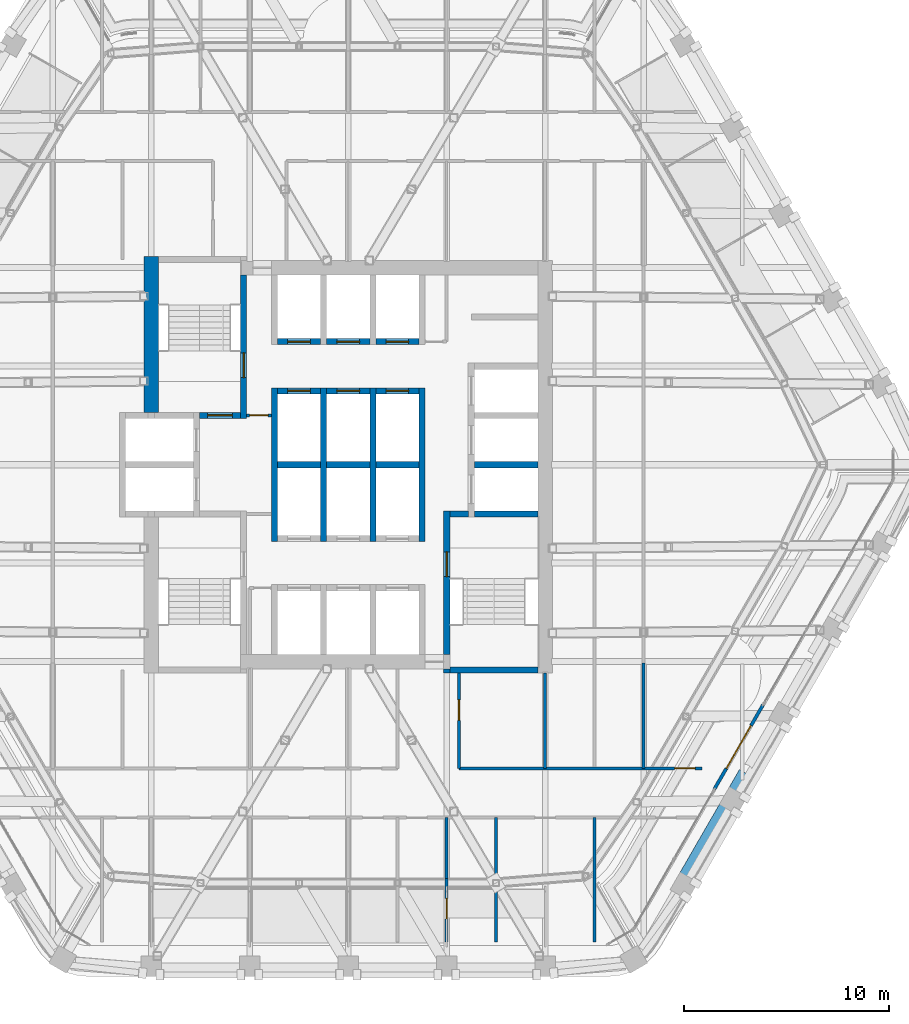
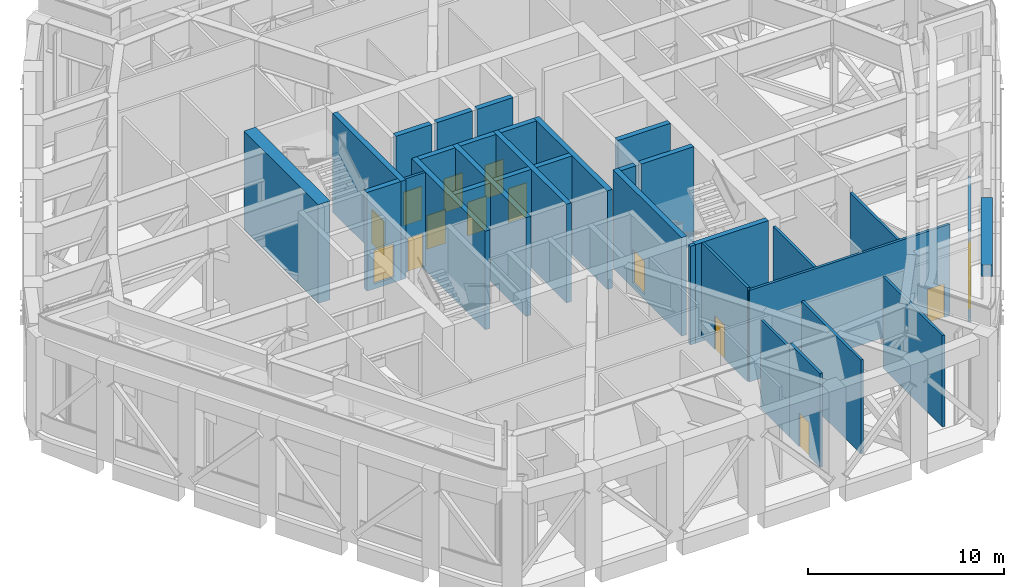
# One storey, part 15 of 24: 33 walls, 14 doors, 14 openings.
"""IFC4 building model written with IfcOpenShell, lengths in metres."""

from ifc_helpers import new_model, si_unit, direction, frame, frame_2d, origin, place, context, subcontext, project, spatial, rectangle, extrude, material, layer, layer_set, type_object, element, fill, save


model = new_model("IFC4")

# Units and contexts
model_context = context("Model", 3, precision=1e-05, world=origin(), true_north=direction((0.0, 1.0)))
body_context = subcontext(model_context, "Body", "Model", "MODEL_VIEW")
ifc_project = project(units=[si_unit("LENGTHUNIT", "METRE"), si_unit("AREAUNIT", "SQUARE_METRE"), si_unit("VOLUMEUNIT", "CUBIC_METRE"), si_unit("PLANEANGLEUNIT", "RADIAN"), si_unit("MASSUNIT", "GRAM", prefix="KILO")], contexts=[model_context])

# Site, building, storey
site_placement = place(None, origin())
site = spatial("IfcSite", under=ifc_project, at=site_placement, CompositionType="ELEMENT")
building_placement = place(site_placement, origin())
building = spatial("IfcBuilding", under=site, at=building_placement, Name="Kolab Exchange Tower", CompositionType="ELEMENT")
storey_placement = place(building_placement, frame((0.0, 0.0, 216.800048828125)))
storey = spatial("IfcBuildingStorey", under=building, at=storey_placement, Name="L47", CompositionType="ELEMENT", Elevation=216.800048828125)

# Wall
ifc_material_1 = material(Name="Concrete C60/75", Category="concrete")
ifc_layer_1 = layer(ifc_material_1, 0.699951171875)
ifc_layer_set_1 = layer_set([ifc_layer_1], Name="Concrete C60/75")
wall_type_1 = type_object("IfcWallType", Name="CORE WALL 700 C60/75", PredefinedType="SHEAR", material=ifc_layer_set_1)
wall_1_placement = place(storey_placement, frame((-9.60009765625, 2.550048828125, -0.300048828125), z_axis=(0.0, 0.0, 1.0), x_axis=(0.0, 1.0, 0.0)))
element("IfcWall", 1, at=wall_1_placement, inside=storey, type_object=wall_type_1, Name="wall/L47/core/037", PredefinedType="SHEAR", context=body_context, shape_type="SweptSolid", body=[
    extrude(rectangle(XDim=7.599853515625, YDim=0.699951171875, at=frame_2d((3.7998046875, 0.0))), origin(), (0.0, 0.0, 1.0), 6.14990234375),
])

# Wall, opening, door
ifc_material_2 = material(Name="Aluminium EN AW-6063 T6", Category="aluminium")
ifc_layer_2 = layer(ifc_material_2, 0.159912109375)
ifc_layer_set_2 = layer_set([ifc_layer_2], Name="Aluminium EN AW-6063 T6")
wall_type_2 = type_object("IfcWallType", Name="DOOR SURROUND WALL 160 ALUMINIUM FRAMED", PredefinedType="PARTITIONING", material=ifc_layer_set_2)
wall_2_placement = place(storey_placement, frame((20.216796875, -11.706787109375, 0.0), z_axis=(0.0, 0.0, 1.0), x_axis=(-0.5000167099, -0.866015756104, 0.0)))
wall_2 = element("IfcWall", 2, at=wall_2_placement, inside=storey, type_object=wall_type_2, Name="Door surround wall", PredefinedType="PARTITIONING", context=body_context, shape_type="SweptSolid", body=[
    extrude(rectangle(XDim=4.739990234375, YDim=0.159912109375, at=frame_2d((2.3701171875, 0.0))), origin(), (0.0, 0.0, 1.0), 5.699951171875),
])
opening_1_placement = place(wall_2_placement, frame((1.169921875, 0.0, 0.0)))
opening_1 = element("IfcOpeningElement", 3, at=opening_1_placement, cuts=wall_2, Name="Opening GD1-087", PredefinedType="OPENING", context=body_context, shape_type="SweptSolid", body=[
    extrude(rectangle(XDim=2.39990234375, YDim=2.39990234375, at=frame_2d((1.199951171875, 1.199951171875))), frame((0.0, 0.08984375, 0.0), z_axis=(0.0, -1.0, 0.0), x_axis=(1.0, 0.0, 0.0)), (0.0, 0.0, 1.0), 0.179931640625),
])
door_type_1 = type_object("IfcDoorType", Name="LOGGIA SLIDING GLASS DOOR 2400 X 2400", OperationType="DOUBLE_DOOR_SINGLE_SWING", PredefinedType="DOOR", material=ifc_material_2)
door_1_placement = place(opening_1_placement, origin())
door_1 = element("IfcDoor", 4, at=door_1_placement, inside=storey, type_object=door_type_1, Name="Loggia door", OperationType="DOUBLE_DOOR_SLIDING", OverallHeight=2.39990234375, OverallWidth=2.39990234375, PredefinedType="DOOR", context=body_context, shape_type="SweptSolid", body=[
    extrude(rectangle(XDim=2.39990234375, YDim=2.39990234375, at=frame_2d((1.199951171875, 1.199951171875))), frame((0.0, 0.02490234375, 0.0), z_axis=(0.0, -1.0, 0.0), x_axis=(1.0, 0.0, 0.0)), (0.0, 0.0, 1.0), 0.050048828125),
])
fill(opening_1, door_1)

# Walls
ifc_material_3 = material(Name="Concrete C50/60", Category="concrete")
ifc_layer_3 = layer(ifc_material_3, 0.300048828125)
ifc_layer_set_3 = layer_set([ifc_layer_3], Name="Concrete C50/60")
wall_type_3 = type_object("IfcWallType", Name="LIFT SHAFT WALL 300 C50/60", PredefinedType="STANDARD", material=ifc_layer_set_3)
wall_3_placement = place(storey_placement, frame((-3.449951171875, 0.0, -0.300048828125), z_axis=(0.0, 0.0, 1.0), x_axis=(1.0, 0.0, 0.0)))
element("IfcWall", 5, at=wall_3_placement, inside=storey, type_object=wall_type_3, Name="wall/L47/core/015", PredefinedType="STANDARD", context=body_context, shape_type="SweptSolid", body=[
    extrude(rectangle(XDim=2.099853515625, YDim=0.300048828125, at=frame_2d((1.0498046875, 0.0))), origin(), (0.0, 0.0, 1.0), 6.14990234375),
])
wall_4_placement = place(storey_placement, frame((-1.050048828125, 0.0, -0.300048828125), z_axis=(0.0, 0.0, 1.0), x_axis=(1.0, 0.0, 0.0)))
element("IfcWall", 6, at=wall_4_placement, inside=storey, type_object=wall_type_3, Name="wall/L47/core/016", PredefinedType="STANDARD", context=body_context, shape_type="SweptSolid", body=[
    extrude(rectangle(XDim=2.10009765625, YDim=0.300048828125, at=frame_2d((1.050048828125, 0.0))), origin(), (0.0, 0.0, 1.0), 6.14990234375),
])
wall_5_placement = place(storey_placement, frame((1.35009765625, 0.0, -0.300048828125), z_axis=(0.0, 0.0, 1.0), x_axis=(1.0, 0.0, 0.0)))
element("IfcWall", 7, at=wall_5_placement, inside=storey, type_object=wall_type_3, Name="wall/L47/core/017", PredefinedType="STANDARD", context=body_context, shape_type="SweptSolid", body=[
    extrude(rectangle(XDim=2.099853515625, YDim=0.300048828125, at=frame_2d((1.0498046875, 0.0))), origin(), (0.0, 0.0, 1.0), 6.14990234375),
])
wall_6_placement = place(storey_placement, frame((6.14990234375, 0.0, -0.300048828125), z_axis=(0.0, 0.0, 1.0), x_axis=(1.0, 0.0, 0.0)))
element("IfcWall", 8, at=wall_6_placement, inside=storey, type_object=wall_type_3, Name="wall/L47/core/018", PredefinedType="STANDARD", context=body_context, shape_type="SweptSolid", body=[
    extrude(rectangle(XDim=3.10009765625, YDim=0.300048828125, at=frame_2d((1.550048828125, 0.0))), origin(), (0.0, 0.0, 1.0), 6.14990234375),
])

# Wall, opening, door
wall_7_placement = place(storey_placement, frame((-3.449951171875, 3.60009765625, -0.300048828125), z_axis=(0.0, 0.0, 1.0), x_axis=(1.0, 0.0, 0.0)))
wall_7 = element("IfcWall", 9, at=wall_7_placement, inside=storey, type_object=wall_type_3, Name="wall/L47/core/023", PredefinedType="STANDARD", context=body_context, shape_type="SweptSolid", body=[
    extrude(rectangle(XDim=2.099853515625, YDim=0.300048828125, at=frame_2d((1.0498046875, 0.0))), origin(), (0.0, 0.0, 1.0), 6.14990234375),
])
opening_2_placement = place(wall_7_placement, frame((0.5, 0.0, 0.300048828125)))
opening_2 = element("IfcOpeningElement", 10, at=opening_2_placement, cuts=wall_7, Name="Opening LD1-139", PredefinedType="OPENING", context=body_context, shape_type="SweptSolid", body=[
    extrude(rectangle(XDim=1.10009765625, YDim=2.10009765625, at=frame_2d((0.550048828125, 1.050048828125))), frame((0.0, 0.16015625, 0.0), z_axis=(0.0, -1.0, 0.0), x_axis=(1.0, 0.0, 0.0)), (0.0, 0.0, 1.0), 0.320068359375),
])
ifc_material_4 = material(Name="Stainless steel 316", Category="steel")
door_type_2 = type_object("IfcDoorType", Name="LANDING DOOR 1100 PASSENGER", OperationType="DOUBLE_DOOR_SLIDING", PredefinedType="DOOR", material=ifc_material_4)
door_2_placement = place(opening_2_placement, origin())
door_2 = element("IfcDoor", 11, at=door_2_placement, inside=storey, type_object=door_type_2, Name="Landing door HR4", OperationType="DOUBLE_DOOR_SLIDING", OverallHeight=2.10009765625, OverallWidth=1.10009765625, PredefinedType="DOOR", context=body_context, shape_type="SweptSolid", body=[
    extrude(rectangle(XDim=1.10009765625, YDim=2.10009765625, at=frame_2d((0.550048828125, 1.050048828125))), frame((0.0, 0.02490234375, 0.0), z_axis=(0.0, -1.0, 0.0), x_axis=(1.0, 0.0, 0.0)), (0.0, 0.0, 1.0), 0.050048828125),
])
fill(opening_2, door_2)

wall_8_placement = place(storey_placement, frame((-1.050048828125, 3.60009765625, -0.300048828125), z_axis=(0.0, 0.0, 1.0), x_axis=(1.0, 0.0, 0.0)))
wall_8 = element("IfcWall", 12, at=wall_8_placement, inside=storey, type_object=wall_type_3, Name="wall/L47/core/024", PredefinedType="STANDARD", context=body_context, shape_type="SweptSolid", body=[
    extrude(rectangle(XDim=2.10009765625, YDim=0.300048828125, at=frame_2d((1.050048828125, 0.0))), origin(), (0.0, 0.0, 1.0), 6.14990234375),
])
opening_3_placement = place(wall_8_placement, frame((0.5, 0.0, 0.300048828125)))
opening_3 = element("IfcOpeningElement", 13, at=opening_3_placement, cuts=wall_8, Name="Opening LD1-140", PredefinedType="OPENING", context=body_context, shape_type="SweptSolid", body=[
    extrude(rectangle(XDim=1.10009765625, YDim=2.10009765625, at=frame_2d((0.550048828125, 1.050048828125))), frame((0.0, 0.16015625, 0.0), z_axis=(0.0, -1.0, 0.0), x_axis=(1.0, 0.0, 0.0)), (0.0, 0.0, 1.0), 0.320068359375),
])
door_3_placement = place(opening_3_placement, origin())
door_3 = element("IfcDoor", 14, at=door_3_placement, inside=storey, type_object=door_type_2, Name="Landing door HR5", OperationType="DOUBLE_DOOR_SLIDING", OverallHeight=2.10009765625, OverallWidth=1.10009765625, PredefinedType="DOOR", context=body_context, shape_type="SweptSolid", body=[
    extrude(rectangle(XDim=1.10009765625, YDim=2.10009765625, at=frame_2d((0.550048828125, 1.050048828125))), frame((0.0, 0.02490234375, 0.0), z_axis=(0.0, -1.0, 0.0), x_axis=(1.0, 0.0, 0.0)), (0.0, 0.0, 1.0), 0.050048828125),
])
fill(opening_3, door_3)

wall_9_placement = place(storey_placement, frame((1.35009765625, 3.60009765625, -0.300048828125), z_axis=(0.0, 0.0, 1.0), x_axis=(1.0, 0.0, 0.0)))
wall_9 = element("IfcWall", 15, at=wall_9_placement, inside=storey, type_object=wall_type_3, Name="wall/L47/core/025", PredefinedType="STANDARD", context=body_context, shape_type="SweptSolid", body=[
    extrude(rectangle(XDim=2.099853515625, YDim=0.300048828125, at=frame_2d((1.0498046875, 0.0))), origin(), (0.0, 0.0, 1.0), 6.14990234375),
])
opening_4_placement = place(wall_9_placement, frame((0.5, 0.0, 0.300048828125)))
opening_4 = element("IfcOpeningElement", 16, at=opening_4_placement, cuts=wall_9, Name="Opening LD1-141", PredefinedType="OPENING", context=body_context, shape_type="SweptSolid", body=[
    extrude(rectangle(XDim=1.10009765625, YDim=2.10009765625, at=frame_2d((0.550048828125, 1.050048828125))), frame((0.0, 0.16015625, 0.0), z_axis=(0.0, -1.0, 0.0), x_axis=(1.0, 0.0, 0.0)), (0.0, 0.0, 1.0), 0.320068359375),
])
door_4_placement = place(opening_4_placement, origin())
door_4 = element("IfcDoor", 17, at=door_4_placement, inside=storey, type_object=door_type_2, Name="Landing door HR6", OperationType="DOUBLE_DOOR_SLIDING", OverallHeight=2.10009765625, OverallWidth=1.10009765625, PredefinedType="DOOR", context=body_context, shape_type="SweptSolid", body=[
    extrude(rectangle(XDim=1.10009765625, YDim=2.10009765625, at=frame_2d((0.550048828125, 1.050048828125))), frame((0.0, 0.02490234375, 0.0), z_axis=(0.0, -1.0, 0.0), x_axis=(1.0, 0.0, 0.0)), (0.0, 0.0, 1.0), 0.050048828125),
])
fill(opening_4, door_4)

wall_10_placement = place(storey_placement, frame((-3.449951171875, 6.0, -0.300048828125), z_axis=(0.0, 0.0, 1.0), x_axis=(1.0, 0.0, 0.0)))
wall_10 = element("IfcWall", 18, at=wall_10_placement, inside=storey, type_object=wall_type_3, Name="wall/L47/core/027", PredefinedType="STANDARD", context=body_context, shape_type="SweptSolid", body=[
    extrude(rectangle(XDim=2.099853515625, YDim=0.300048828125, at=frame_2d((1.0498046875, 0.0))), origin(), (0.0, 0.0, 1.0), 6.14990234375),
])
opening_5_placement = place(wall_10_placement, frame((0.5, 0.0, 0.300048828125)))
opening_5 = element("IfcOpeningElement", 19, at=opening_5_placement, cuts=wall_10, Name="Opening LD1-133", PredefinedType="OPENING", context=body_context, shape_type="SweptSolid", body=[
    extrude(rectangle(XDim=1.10009765625, YDim=2.10009765625, at=frame_2d((0.550048828125, 1.050048828125))), frame((0.0, 0.16015625, 0.0), z_axis=(0.0, -1.0, 0.0), x_axis=(1.0, 0.0, 0.0)), (0.0, 0.0, 1.0), 0.320068359375),
])
door_5_placement = place(opening_5_placement, origin())
door_5 = element("IfcDoor", 20, at=door_5_placement, inside=storey, type_object=door_type_2, Name="Landing door HR1", OperationType="DOUBLE_DOOR_SLIDING", OverallHeight=2.10009765625, OverallWidth=1.10009765625, PredefinedType="DOOR", context=body_context, shape_type="SweptSolid", body=[
    extrude(rectangle(XDim=1.10009765625, YDim=2.10009765625, at=frame_2d((0.550048828125, 1.050048828125))), frame((0.0, 0.02490234375, 0.0), z_axis=(0.0, -1.0, 0.0), x_axis=(1.0, 0.0, 0.0)), (0.0, 0.0, 1.0), 0.050048828125),
])
fill(opening_5, door_5)

wall_11_placement = place(storey_placement, frame((-1.050048828125, 6.0, -0.300048828125), z_axis=(0.0, 0.0, 1.0), x_axis=(1.0, 0.0, 0.0)))
wall_11 = element("IfcWall", 21, at=wall_11_placement, inside=storey, type_object=wall_type_3, Name="wall/L47/core/028", PredefinedType="STANDARD", context=body_context, shape_type="SweptSolid", body=[
    extrude(rectangle(XDim=2.10009765625, YDim=0.300048828125, at=frame_2d((1.050048828125, 0.0))), origin(), (0.0, 0.0, 1.0), 6.14990234375),
])
opening_6_placement = place(wall_11_placement, frame((0.5, 0.0, 0.300048828125)))
opening_6 = element("IfcOpeningElement", 22, at=opening_6_placement, cuts=wall_11, Name="Opening LD1-137", PredefinedType="OPENING", context=body_context, shape_type="SweptSolid", body=[
    extrude(rectangle(XDim=1.10009765625, YDim=2.10009765625, at=frame_2d((0.550048828125, 1.050048828125))), frame((0.0, 0.16015625, 0.0), z_axis=(0.0, -1.0, 0.0), x_axis=(1.0, 0.0, 0.0)), (0.0, 0.0, 1.0), 0.320068359375),
])
door_6_placement = place(opening_6_placement, origin())
door_6 = element("IfcDoor", 23, at=door_6_placement, inside=storey, type_object=door_type_2, Name="Landing door HR2", OperationType="DOUBLE_DOOR_SLIDING", OverallHeight=2.10009765625, OverallWidth=1.10009765625, PredefinedType="DOOR", context=body_context, shape_type="SweptSolid", body=[
    extrude(rectangle(XDim=1.10009765625, YDim=2.10009765625, at=frame_2d((0.550048828125, 1.050048828125))), frame((0.0, 0.02490234375, 0.0), z_axis=(0.0, -1.0, 0.0), x_axis=(1.0, 0.0, 0.0)), (0.0, 0.0, 1.0), 0.050048828125),
])
fill(opening_6, door_6)

wall_12_placement = place(storey_placement, frame((1.35009765625, 6.0, -0.300048828125), z_axis=(0.0, 0.0, 1.0), x_axis=(1.0, 0.0, 0.0)))
wall_12 = element("IfcWall", 24, at=wall_12_placement, inside=storey, type_object=wall_type_3, Name="wall/L47/core/029", PredefinedType="STANDARD", context=body_context, shape_type="SweptSolid", body=[
    extrude(rectangle(XDim=2.099853515625, YDim=0.300048828125, at=frame_2d((1.0498046875, 0.0))), origin(), (0.0, 0.0, 1.0), 6.14990234375),
])
opening_7_placement = place(wall_12_placement, frame((0.5, 0.0, 0.300048828125)))
opening_7 = element("IfcOpeningElement", 25, at=opening_7_placement, cuts=wall_12, Name="Opening LD1-138", PredefinedType="OPENING", context=body_context, shape_type="SweptSolid", body=[
    extrude(rectangle(XDim=1.10009765625, YDim=2.10009765625, at=frame_2d((0.550048828125, 1.050048828125))), frame((0.0, 0.16015625, 0.0), z_axis=(0.0, -1.0, 0.0), x_axis=(1.0, 0.0, 0.0)), (0.0, 0.0, 1.0), 0.320068359375),
])
door_7_placement = place(opening_7_placement, origin())
door_7 = element("IfcDoor", 26, at=door_7_placement, inside=storey, type_object=door_type_2, Name="Landing door HR3", OperationType="DOUBLE_DOOR_SLIDING", OverallHeight=2.10009765625, OverallWidth=1.10009765625, PredefinedType="DOOR", context=body_context, shape_type="SweptSolid", body=[
    extrude(rectangle(XDim=1.10009765625, YDim=2.10009765625, at=frame_2d((0.550048828125, 1.050048828125))), frame((0.0, 0.02490234375, 0.0), z_axis=(0.0, -1.0, 0.0), x_axis=(1.0, 0.0, 0.0)), (0.0, 0.0, 1.0), 0.050048828125),
])
fill(opening_7, door_7)

# Walls
for number, where, z_axis, x_axis, name in (
    (27, (-3.60009765625, -3.75, -0.300048828125), (0.0, 0.0, 1.0), (0.0, 1.0, 0.0), "wall/L47/core/044"),
    (28, (-1.199951171875, -3.75, -0.300048828125), (0.0, 0.0, 1.0), (0.0, 1.0, 0.0), "wall/L47/core/047"),
    (29, (1.199951171875, -3.75, -0.300048828125), (0.0, 0.0, 1.0), (0.0, 1.0, 0.0), "wall/L47/core/050"),
    (30, (3.60009765625, -3.75, -0.300048828125), (0.0, 0.0, 1.0), (0.0, 1.0, 0.0), "wall/L47/core/053"),
):
    element("IfcWall", number, at=place(storey_placement, frame(where, z_axis=z_axis, x_axis=x_axis)), inside=storey, type_object=wall_type_3, Name=name, PredefinedType="STANDARD", context=body_context, shape_type="SweptSolid", body=[
        extrude(rectangle(XDim=7.5, YDim=0.300048828125, at=frame_2d((3.75, 0.0))), origin(), (0.0, 0.0, 1.0), 6.14990234375),
    ])
ifc_material_5 = material(Name="Gypsum board", Category="gypsum")
ifc_layer_4 = layer(ifc_material_5, 0.14990234375)
ifc_layer_set_4 = layer_set([ifc_layer_4], Name="Gypsum board")
wall_type_4 = type_object("IfcWallType", Name="PARTITION 150 FIRE-RATED", PredefinedType="PARTITIONING", material=ifc_layer_set_4)
wall_13_placement = place(storey_placement, frame((14.39990234375, -14.800048828125, 0.0), z_axis=(0.0, 0.0, 1.0), x_axis=(0.0, 1.0, 0.0)))
element("IfcWall", 31, at=wall_13_placement, inside=storey, type_object=wall_type_4, Name="Partition 000", PredefinedType="PARTITIONING", context=body_context, shape_type="SweptSolid", body=[
    extrude(rectangle(XDim=5.1259765625, YDim=0.14990234375, at=frame_2d((2.56298828125, 0.0))), origin(), (0.0, 0.0, 1.0), 5.5400390625),
])
wall_14_placement = place(storey_placement, frame((12.0, -23.271484375, 0.0), z_axis=(0.0, 0.0, 1.0), x_axis=(0.0, 1.0, 0.0)))
element("IfcWall", 32, at=wall_14_placement, inside=storey, type_object=wall_type_4, Name="Partition 001", PredefinedType="PARTITIONING", context=body_context, shape_type="SweptSolid", body=[
    extrude(rectangle(XDim=6.071533203125, YDim=0.14990234375, at=frame_2d((3.03564453125, 0.0))), origin(), (0.0, 0.0, 1.0), 5.699951171875),
])
wall_15_placement = place(storey_placement, frame((9.60009765625, -14.800048828125, 0.0), z_axis=(0.0, 0.0, 1.0), x_axis=(0.0, 1.0, 0.0)))
element("IfcWall", 33, at=wall_15_placement, inside=storey, type_object=wall_type_4, Name="Partition 004", PredefinedType="PARTITIONING", context=body_context, shape_type="SweptSolid", body=[
    extrude(rectangle(XDim=4.650146484375, YDim=0.14990234375, at=frame_2d((2.3251953125, 0.0))), origin(), (0.0, 0.0, 1.0), 5.39306640625),
])
wall_16_placement = place(storey_placement, frame((7.199951171875, -23.271484375, 0.0), z_axis=(0.0, 0.0, 1.0), x_axis=(0.0, 1.0, 0.0)))
element("IfcWall", 34, at=wall_16_placement, inside=storey, type_object=wall_type_4, Name="Partition 007", PredefinedType="PARTITIONING", context=body_context, shape_type="SweptSolid", body=[
    extrude(rectangle(XDim=6.071533203125, YDim=0.14990234375, at=frame_2d((3.03564453125, 0.0))), origin(), (0.0, 0.0, 1.0), 5.849853515625),
])

# Wall, opening, door
wall_17_placement = place(storey_placement, frame((5.39990234375, -14.800048828125, 0.0), z_axis=(0.0, 0.0, 1.0), x_axis=(0.0, 1.0, 0.0)))
wall_17 = element("IfcWall", 35, at=wall_17_placement, inside=storey, type_object=wall_type_4, Name="Partition 008", PredefinedType="PARTITIONING", context=body_context, shape_type="SweptSolid", body=[
    extrude(rectangle(XDim=4.650146484375, YDim=0.14990234375, at=frame_2d((2.3251953125, 0.0))), origin(), (0.0, 0.0, 1.0), 5.849853515625),
])
opening_8_placement = place(wall_17_placement, frame((2.3349609375, 0.0, 0.0)))
opening_8 = element("IfcOpeningElement", 36, at=opening_8_placement, cuts=wall_17, Name="Opening D1-606", PredefinedType="OPENING", context=body_context, shape_type="SweptSolid", body=[
    extrude(rectangle(XDim=1.0, YDim=2.10009765625, at=frame_2d((0.5, 1.050048828125))), frame((0.0, 0.0849609375, 0.0), z_axis=(0.0, -1.0, 0.0), x_axis=(1.0, 0.0, 0.0)), (0.0, 0.0, 1.0), 0.169921875),
])
ifc_material_6 = material(Name="Steel S235", Category="steel")
door_type_3 = type_object("IfcDoorType", Name="FLUSH DOOR 1000 FD60", OperationType="SINGLE_SWING_LEFT", PredefinedType="DOOR", material=ifc_material_6)
door_8_placement = place(opening_8_placement, frame((1.0, 0.0, 0.0), z_axis=(0.0, 0.0, 1.0), x_axis=(-1.0, 0.0, 0.0)))
door_8 = element("IfcDoor", 37, at=door_8_placement, inside=storey, type_object=door_type_3, Name="Door L47-035", OperationType="SINGLE_SWING_RIGHT", OverallHeight=2.10009765625, OverallWidth=1.0, PredefinedType="DOOR", context=body_context, shape_type="SweptSolid", body=[
    extrude(rectangle(XDim=1.0, YDim=2.10009765625, at=frame_2d((0.5, 1.050048828125))), frame((0.0, 0.02490234375, 0.0), z_axis=(0.0, -1.0, 0.0), x_axis=(1.0, 0.0, 0.0)), (0.0, 0.0, 1.0), 0.050048828125),
])
fill(opening_8, door_8)

wall_18_placement = place(storey_placement, frame((4.800048828125, -23.271484375, 0.0), z_axis=(0.0, 0.0, 1.0), x_axis=(0.0, 1.0, 0.0)))
wall_18 = element("IfcWall", 38, at=wall_18_placement, inside=storey, type_object=wall_type_4, Name="Partition 010", PredefinedType="PARTITIONING", context=body_context, shape_type="SweptSolid", body=[
    extrude(rectangle(XDim=3.096923828125, YDim=0.14990234375, at=frame_2d((1.54833984375, 0.0))), origin(), (0.0, 0.0, 1.0), 5.849853515625),
])
opening_9_placement = place(wall_18_placement, frame((1.138916015625, 0.0, 0.0)))
opening_9 = element("IfcOpeningElement", 39, at=opening_9_placement, cuts=wall_18, Name="Opening D1-625", PredefinedType="OPENING", context=body_context, shape_type="SweptSolid", body=[
    extrude(rectangle(XDim=1.0, YDim=2.10009765625, at=frame_2d((0.5, 1.050048828125))), frame((0.0, 0.0849609375, 0.0), z_axis=(0.0, -1.0, 0.0), x_axis=(1.0, 0.0, 0.0)), (0.0, 0.0, 1.0), 0.169921875),
])
door_9_placement = place(opening_9_placement, frame((1.0, 0.0, 0.0), z_axis=(0.0, 0.0, 1.0), x_axis=(-1.0, 0.0, 0.0)))
door_9 = element("IfcDoor", 40, at=door_9_placement, inside=storey, type_object=door_type_3, Name="Door L47-054", OperationType="SINGLE_SWING_LEFT", OverallHeight=2.10009765625, OverallWidth=1.0, PredefinedType="DOOR", context=body_context, shape_type="SweptSolid", body=[
    extrude(rectangle(XDim=1.0, YDim=2.10009765625, at=frame_2d((0.5, 1.050048828125))), frame((0.0, 0.02490234375, 0.0), z_axis=(0.0, -1.0, 0.0), x_axis=(1.0, 0.0, 0.0)), (0.0, 0.0, 1.0), 0.050048828125),
])
fill(opening_9, door_9)

# Wall
wall_19_placement = place(storey_placement, frame((4.800048828125, -20.174560546875, 0.0), z_axis=(0.0, 0.0, 1.0), x_axis=(0.0, 1.0, 0.0)))
element("IfcWall", 41, at=wall_19_placement, inside=storey, type_object=wall_type_4, Name="Partition 010", PredefinedType="PARTITIONING", context=body_context, shape_type="SweptSolid", body=[
    extrude(rectangle(XDim=2.974609375, YDim=0.14990234375, at=frame_2d((1.4873046875, 0.0))), origin(), (0.0, 0.0, 1.0), 5.5400390625),
])

# Wall, opening, door
wall_20_placement = place(storey_placement, frame((5.39990234375, -14.800048828125, 0.0), z_axis=(0.0, 0.0, 1.0), x_axis=(1.0, 0.0, 0.0)))
wall_20 = element("IfcWall", 42, at=wall_20_placement, inside=storey, type_object=wall_type_4, Name="Partition 035", PredefinedType="PARTITIONING", context=body_context, shape_type="SweptSolid", body=[
    extrude(rectangle(XDim=11.83447265625, YDim=0.14990234375, at=frame_2d((5.917236328125, 0.0))), origin(), (0.0, 0.0, 1.0), 5.699951171875),
])
opening_10_placement = place(wall_20_placement, frame((10.510986328125, 0.0, 0.0)))
opening_10 = element("IfcOpeningElement", 43, at=opening_10_placement, cuts=wall_20, Name="Opening D1-630", PredefinedType="OPENING", context=body_context, shape_type="SweptSolid", body=[
    extrude(rectangle(XDim=1.0, YDim=2.10009765625, at=frame_2d((0.5, 1.050048828125))), frame((0.0, 0.0849609375, 0.0), z_axis=(0.0, -1.0, 0.0), x_axis=(1.0, 0.0, 0.0)), (0.0, 0.0, 1.0), 0.169921875),
])
door_10_placement = place(opening_10_placement, origin())
door_10 = element("IfcDoor", 44, at=door_10_placement, inside=storey, type_object=door_type_3, Name="Door L47-059", OperationType="SINGLE_SWING_LEFT", OverallHeight=2.10009765625, OverallWidth=1.0, PredefinedType="DOOR", context=body_context, shape_type="SweptSolid", body=[
    extrude(rectangle(XDim=1.0, YDim=2.10009765625, at=frame_2d((0.5, 1.050048828125))), frame((0.0, 0.02490234375, 0.0), z_axis=(0.0, -1.0, 0.0), x_axis=(1.0, 0.0, 0.0)), (0.0, 0.0, 1.0), 0.050048828125),
])
fill(opening_10, door_10)

wall_21_placement = place(storey_placement, frame((-4.949951171875, 2.39990234375, 0.0), z_axis=(0.0, 0.0, 1.0), x_axis=(1.0, 0.0, 0.0)))
wall_21 = element("IfcWall", 45, at=wall_21_placement, inside=storey, type_object=wall_type_4, Name="Fire partition", PredefinedType="PARTITIONING", context=body_context, shape_type="SweptSolid", body=[
    extrude(rectangle(XDim=1.199951171875, YDim=0.14990234375, at=frame_2d((0.60009765625, 0.0))), origin(), (0.0, 0.0, 1.0), 5.849853515625),
])
opening_11_placement = place(wall_21_placement, frame((0.14990234375, 0.0, 0.0)))
opening_11 = element("IfcOpeningElement", 46, at=opening_11_placement, cuts=wall_21, Name="Opening D6-275", PredefinedType="OPENING", context=body_context, shape_type="SweptSolid", body=[
    extrude(rectangle(XDim=0.89990234375, YDim=2.10009765625, at=frame_2d((0.449951171875, 1.050048828125))), frame((0.0, 0.0849609375, 0.0), z_axis=(0.0, -1.0, 0.0), x_axis=(1.0, 0.0, 0.0)), (0.0, 0.0, 1.0), 0.169921875),
])
door_type_4 = type_object("IfcDoorType", Name="CORE DOOR 900 EI 120", OperationType="SINGLE_SWING_LEFT", PredefinedType="DOOR", material=ifc_material_6)
door_11_placement = place(opening_11_placement, frame((0.89990234375, 0.0, 0.0), z_axis=(0.0, 0.0, 1.0), x_axis=(-1.0, 0.0, 0.0)))
door_11 = element("IfcDoor", 47, at=door_11_placement, inside=storey, type_object=door_type_4, Name="Firefighting lobby door", OperationType="SINGLE_SWING_RIGHT", OverallHeight=2.10009765625, OverallWidth=0.89990234375, PredefinedType="DOOR", context=body_context, shape_type="SweptSolid", body=[
    extrude(rectangle(XDim=0.89990234375, YDim=2.10009765625, at=frame_2d((0.449951171875, 1.050048828125))), frame((0.0, 0.02490234375, 0.0), z_axis=(0.0, -1.0, 0.0), x_axis=(1.0, 0.0, 0.0)), (0.0, 0.0, 1.0), 0.050048828125),
])
fill(opening_11, door_11)

# Walls
ifc_material_7 = material(Name="Granite facing", Category="masonry")
ifc_layer_5 = layer(ifc_material_7, 0.0400390625)
ifc_material_8 = material(Name="Concrete C40/50 precast", Category="concrete")
ifc_layer_6 = layer(ifc_material_8, 0.56005859375)
ifc_layer_set_5 = layer_set([ifc_layer_5, ifc_layer_6], Name="Concrete C40/50 precast")
wall_type_5 = type_object("IfcWallType", Name="PLANTER BOX 600 X 700 SOIL DEPTH 550", PredefinedType="USERDEFINED", material=ifc_layer_set_5)
wall_22_placement = place(storey_placement, frame((19.326904296875, -15.008056640625, 6.0), z_axis=(0.0, 0.0, 1.0), x_axis=(-0.499990139034, -0.866031096941, 0.0)))
element("IfcWall", 48, at=wall_22_placement, inside=storey, type_object=wall_type_5, Name="Planter", ObjectType="PLANTER", PredefinedType="USERDEFINED", context=body_context, shape_type="SweptSolid", body=[
    extrude(rectangle(XDim=6.0, YDim=0.60009765625, at=frame_2d((3.0, 0.0))), origin(), (0.0, 0.0, 1.0), 0.699951171875),
])
ifc_layer_7 = layer(ifc_material_3, 0.300048828125)
ifc_layer_set_6 = layer_set([ifc_layer_7], Name="Concrete C50/60")
wall_type_6 = type_object("IfcWallType", Name="STAIR ENCLOSURE WALL 300 C50/60", PredefinedType="STANDARD", material=ifc_layer_set_6)
wall_23_placement = place(storey_placement, frame((4.949951171875, -10.0, -0.300048828125), z_axis=(0.0, 0.0, 1.0), x_axis=(1.0, 0.0, 0.0)))
element("IfcWall", 49, at=wall_23_placement, inside=storey, type_object=wall_type_6, Name="wall/L47/core/001", PredefinedType="STANDARD", context=body_context, shape_type="SweptSolid", body=[
    extrude(rectangle(XDim=4.300048828125, YDim=0.300048828125, at=frame_2d((2.14990234375, 0.0))), origin(), (0.0, 0.0, 1.0), 6.14990234375),
])
wall_24_placement = place(storey_placement, frame((4.949951171875, -2.39990234375, -0.300048828125), z_axis=(0.0, 0.0, 1.0), x_axis=(1.0, 0.0, 0.0)))
element("IfcWall", 50, at=wall_24_placement, inside=storey, type_object=wall_type_6, Name="wall/L47/core/012", PredefinedType="STANDARD", context=body_context, shape_type="SweptSolid", body=[
    extrude(rectangle(XDim=0.900146484375, YDim=0.300048828125, at=frame_2d((0.4501953125, 0.0))), origin(), (0.0, 0.0, 1.0), 6.14990234375),
])
wall_25_placement = place(storey_placement, frame((6.14990234375, -2.39990234375, -0.300048828125), z_axis=(0.0, 0.0, 1.0), x_axis=(1.0, 0.0, 0.0)))
element("IfcWall", 51, at=wall_25_placement, inside=storey, type_object=wall_type_6, Name="wall/L47/core/013", PredefinedType="STANDARD", context=body_context, shape_type="SweptSolid", body=[
    extrude(rectangle(XDim=3.10009765625, YDim=0.300048828125, at=frame_2d((1.550048828125, 0.0))), origin(), (0.0, 0.0, 1.0), 6.14990234375),
])

# Wall, opening, door
wall_26_placement = place(storey_placement, frame((-7.25, 2.39990234375, -0.300048828125), z_axis=(0.0, 0.0, 1.0), x_axis=(1.0, 0.0, 0.0)))
wall_26 = element("IfcWall", 52, at=wall_26_placement, inside=storey, type_object=wall_type_6, Name="wall/L47/core/021", PredefinedType="STANDARD", context=body_context, shape_type="SweptSolid", body=[
    extrude(rectangle(XDim=2.0, YDim=0.300048828125, at=frame_2d((1.0, 0.0))), origin(), (0.0, 0.0, 1.0), 6.14990234375),
])
opening_12_placement = place(wall_26_placement, frame((0.39990234375, 0.0, 0.300048828125)))
opening_12 = element("IfcOpeningElement", 53, at=opening_12_placement, cuts=wall_26, Name="Opening D4-055", PredefinedType="OPENING", context=body_context, shape_type="SweptSolid", body=[
    extrude(rectangle(XDim=1.199951171875, YDim=2.10009765625, at=frame_2d((0.60009765625, 1.050048828125))), frame((0.0, 0.16015625, 0.0), z_axis=(0.0, -1.0, 0.0), x_axis=(1.0, 0.0, 0.0)), (0.0, 0.0, 1.0), 0.320068359375),
])
door_type_5 = type_object("IfcDoorType", Name="STAIR DOOR 1200 EI 120", OperationType="SINGLE_SWING_LEFT", PredefinedType="DOOR", material=ifc_material_6)
door_12_placement = place(opening_12_placement, origin())
door_12 = element("IfcDoor", 54, at=door_12_placement, inside=storey, type_object=door_type_5, Name="Stair 1 door", OperationType="SINGLE_SWING_RIGHT", OverallHeight=2.10009765625, OverallWidth=1.199951171875, PredefinedType="DOOR", context=body_context, shape_type="SweptSolid", body=[
    extrude(rectangle(XDim=1.199951171875, YDim=2.10009765625, at=frame_2d((0.60009765625, 1.050048828125))), frame((0.0, 0.02490234375, 0.0), z_axis=(0.0, -1.0, 0.0), x_axis=(1.0, 0.0, 0.0)), (0.0, 0.0, 1.0), 0.050048828125),
])
fill(opening_12, door_12)

wall_27_placement = place(storey_placement, frame((-5.10009765625, 2.25, -0.300048828125), z_axis=(0.0, 0.0, 1.0), x_axis=(0.0, 1.0, 0.0)))
wall_27 = element("IfcWall", 55, at=wall_27_placement, inside=storey, type_object=wall_type_6, Name="wall/L47/core/041", PredefinedType="STANDARD", context=body_context, shape_type="SweptSolid", body=[
    extrude(rectangle(XDim=7.0, YDim=0.300048828125, at=frame_2d((3.5, 0.0))), origin(), (0.0, 0.0, 1.0), 6.14990234375),
])
opening_13_placement = place(wall_27_placement, frame((2.0, 0.0, 0.300048828125)))
opening_13 = element("IfcOpeningElement", 56, at=opening_13_placement, cuts=wall_27, Name="Opening D4-073", PredefinedType="OPENING", context=body_context, shape_type="SweptSolid", body=[
    extrude(rectangle(XDim=1.199951171875, YDim=2.10009765625, at=frame_2d((0.60009765625, 1.050048828125))), frame((0.0, 0.16015625, 0.0), z_axis=(0.0, -1.0, 0.0), x_axis=(1.0, 0.0, 0.0)), (0.0, 0.0, 1.0), 0.320068359375),
])
door_13_placement = place(opening_13_placement, origin())
door_13 = element("IfcDoor", 57, at=door_13_placement, inside=storey, type_object=door_type_5, Name="Stair 1 door", OperationType="SINGLE_SWING_LEFT", OverallHeight=2.10009765625, OverallWidth=1.199951171875, PredefinedType="DOOR", context=body_context, shape_type="SweptSolid", body=[
    extrude(rectangle(XDim=1.199951171875, YDim=2.10009765625, at=frame_2d((0.60009765625, 1.050048828125))), frame((0.0, 0.02490234375, 0.0), z_axis=(0.0, -1.0, 0.0), x_axis=(1.0, 0.0, 0.0)), (0.0, 0.0, 1.0), 0.050048828125),
])
fill(opening_13, door_13)

# Wall
wall_28_placement = place(storey_placement, frame((4.800048828125, -10.14990234375, -0.300048828125), z_axis=(0.0, 0.0, 1.0), x_axis=(0.0, 1.0, 0.0)))
element("IfcWall", 58, at=wall_28_placement, inside=storey, type_object=wall_type_6, Name="wall/L47/core/055", PredefinedType="STANDARD", context=body_context, shape_type="SweptSolid", body=[
    extrude(rectangle(XDim=0.199951171875, YDim=0.300048828125, at=frame_2d((0.10009765625, 0.0))), origin(), (0.0, 0.0, 1.0), 6.14990234375),
])

# Wall, opening, door
wall_29_placement = place(storey_placement, frame((4.800048828125, -9.25, -0.300048828125), z_axis=(0.0, 0.0, 1.0), x_axis=(0.0, 1.0, 0.0)))
wall_29 = element("IfcWall", 59, at=wall_29_placement, inside=storey, type_object=wall_type_6, Name="wall/L47/core/056", PredefinedType="STANDARD", context=body_context, shape_type="SweptSolid", body=[
    extrude(rectangle(XDim=7.0, YDim=0.300048828125, at=frame_2d((3.5, 0.0))), origin(), (0.0, 0.0, 1.0), 6.14990234375),
])
opening_14_placement = place(wall_29_placement, frame((3.800048828125, 0.0, 0.300048828125)))
opening_14 = element("IfcOpeningElement", 60, at=opening_14_placement, cuts=wall_29, Name="Opening D4-074", PredefinedType="OPENING", context=body_context, shape_type="SweptSolid", body=[
    extrude(rectangle(XDim=1.199951171875, YDim=2.10009765625, at=frame_2d((0.60009765625, 1.050048828125))), frame((0.0, 0.16015625, 0.0), z_axis=(0.0, -1.0, 0.0), x_axis=(1.0, 0.0, 0.0)), (0.0, 0.0, 1.0), 0.320068359375),
])
door_14_placement = place(opening_14_placement, frame((1.199951171875, 0.0, 0.0), z_axis=(0.0, 0.0, 1.0), x_axis=(-1.0, 0.0, 0.0)))
door_14 = element("IfcDoor", 61, at=door_14_placement, inside=storey, type_object=door_type_5, Name="Stair 2 door", OperationType="SINGLE_SWING_RIGHT", OverallHeight=2.10009765625, OverallWidth=1.199951171875, PredefinedType="DOOR", context=body_context, shape_type="SweptSolid", body=[
    extrude(rectangle(XDim=1.199951171875, YDim=2.10009765625, at=frame_2d((0.60009765625, 1.050048828125))), frame((0.0, 0.02490234375, 0.0), z_axis=(0.0, -1.0, 0.0), x_axis=(1.0, 0.0, 0.0)), (0.0, 0.0, 1.0), 0.050048828125),
])
fill(opening_14, door_14)

save(model, "model.ifc")
